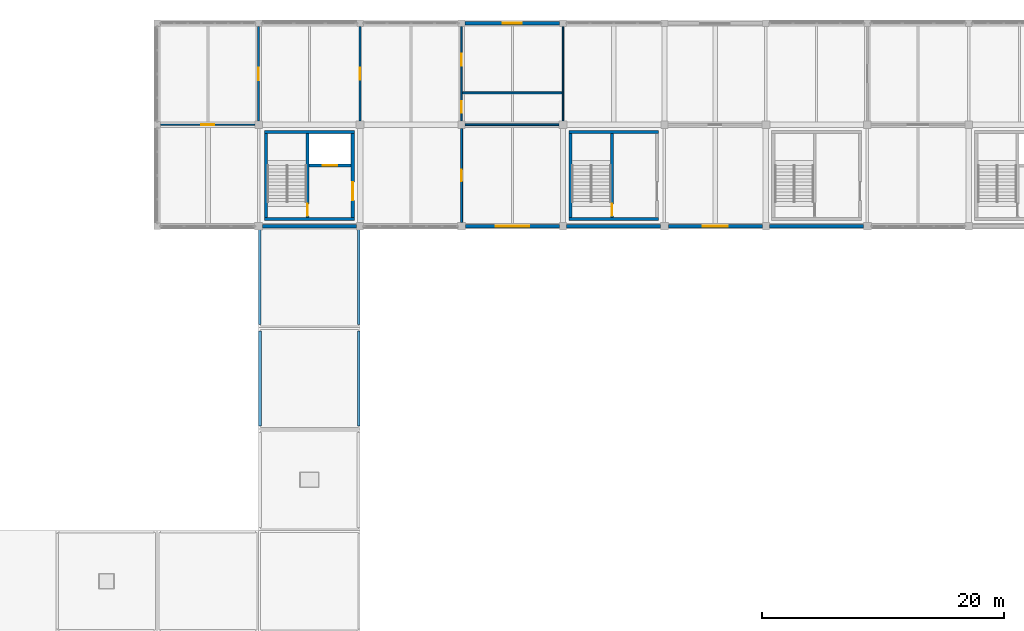
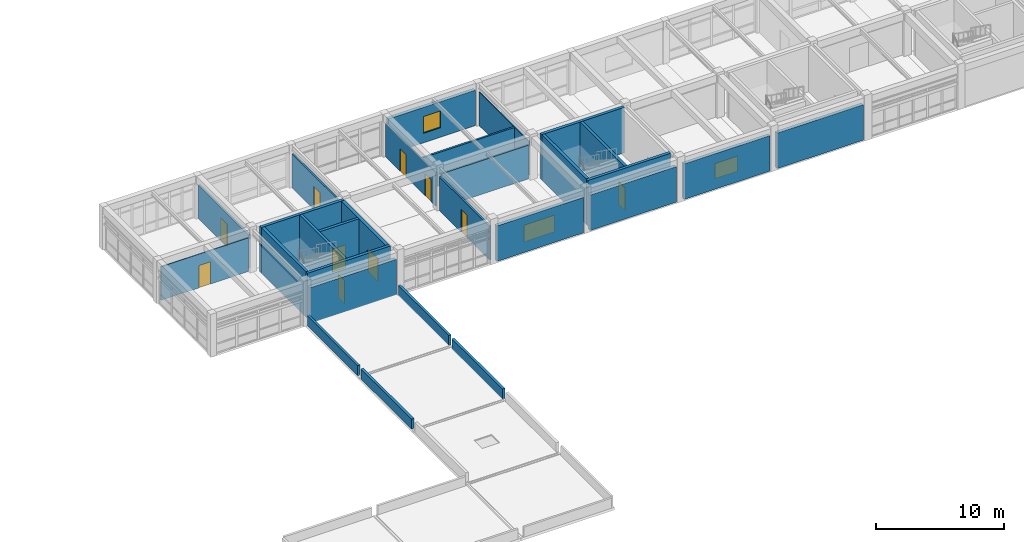
# One storey, part 15 of 18: 28 walls, 10 doors, 3 windows, 13 openings.
"""IFC4 building model written with IfcOpenShell, lengths in metres."""

import ifcopenshell
import ifcopenshell.guid

model = None  # the IFC model being written
_history = None  # IfcOwnerHistory: only IFC2X3 demands one
_inside = {}  # id of a spatial element -> (the spatial element, [elements in it])
_under = {}  # id of a project, library or spatial element -> (it, [spatial elements below it])
_declared = {}  # id of a project -> (the project, [libraries it declares])
_typed = {}  # id of a type object -> (the type object, [elements of that type])
_made_of = {}  # id of a material, layer set ... -> (it, [elements and type objects made of it])


def new_model(schema):
    """Start an empty IFC model of exactly this schema.

    Asked for "IFC4X3", IfcOpenShell would pick the latest addendum, in which some entities
    have other attributes; the version numbers below select the first issue.
    IFC2X3 requires an IfcOwnerHistory on every rooted entity: one is made here for all.
    """
    global model, _history
    if schema == "IFC4X3":
        model = ifcopenshell.file(schema_version=(4, 3, 0, 0))
    else:
        model = ifcopenshell.file(schema=schema)
    _inside.clear()
    _under.clear()
    _declared.clear()
    _typed.clear()
    _made_of.clear()
    _history = None
    if model.schema == "IFC2X3":
        org = make("IfcOrganization", Name="unknown")
        user = make(
            "IfcPersonAndOrganization",
            ThePerson=make("IfcPerson", FamilyName="unknown"),
            TheOrganization=org,
        )
        app = make(
            "IfcApplication",
            ApplicationDeveloper=org,
            Version="unknown",
            ApplicationFullName="unknown",
            ApplicationIdentifier="unknown",
        )
        _history = make(
            "IfcOwnerHistory",
            OwningUser=user,
            OwningApplication=app,
            ChangeAction="ADDED",
            CreationDate=0,
        )
    return model


def make(cls, **values):
    """One entity of the class cls with the attributes given. An attribute that is None is left unset."""
    return model.create_entity(
        cls, **{name: value for name, value in values.items() if value is not None}
    )


def rooted(cls, **values):
    """An entity with a GlobalId (a new one), such as an element, a storey or a relation."""
    return make(cls, GlobalId=ifcopenshell.guid.new(), OwnerHistory=_history, **values)


def si_unit(unit_type, name, prefix=None):
    """IfcSIUnit, for example si_unit("LENGTHUNIT", "METRE", prefix="MILLI")."""
    return make("IfcSIUnit", UnitType=unit_type, Prefix=prefix, Name=name)


def assignment(units):
    """IfcUnitAssignment: the units of a project."""
    return None if units is None else make("IfcUnitAssignment", Units=units)


def point(xyz):
    """IfcCartesianPoint."""
    return None if xyz is None else make("IfcCartesianPoint", Coordinates=xyz)


def direction(xyz):
    """IfcDirection."""
    return None if xyz is None else make("IfcDirection", DirectionRatios=xyz)


def frame(location, z_axis=None, x_axis=None):
    """IfcAxis2Placement3D, a coordinate frame: its origin and axes. An axis left out is left unset."""
    return make(
        "IfcAxis2Placement3D",
        Location=point(location),
        Axis=direction(z_axis),
        RefDirection=direction(x_axis),
    )


def frame_2d(location, x_axis=None):
    """IfcAxis2Placement2D, a coordinate frame in the plane: its origin and x axis."""
    return make(
        "IfcAxis2Placement2D", Location=point(location), RefDirection=direction(x_axis)
    )


def origin():
    """The frame at (0, 0, 0) with its axes left unset."""
    return frame((0.0, 0.0, 0.0))


def place(relative_to, where):
    """IfcLocalPlacement: puts the frame where relative to a parent placement (None: the world)."""
    return make(
        "IfcLocalPlacement", PlacementRelTo=relative_to, RelativePlacement=where
    )


def context(
    kind, dimensions, precision=None, world=None, true_north=None, identifier=None
):
    """IfcGeometricRepresentationContext, for example the 3D "Model" context."""
    return make(
        "IfcGeometricRepresentationContext",
        ContextIdentifier=identifier,
        ContextType=kind,
        CoordinateSpaceDimension=dimensions,
        Precision=precision,
        WorldCoordinateSystem=world,
        TrueNorth=true_north,
    )


def subcontext(parent, identifier, kind, view, scale=None):
    """IfcGeometricRepresentationSubContext, for example "Body" below "Model"."""
    return make(
        "IfcGeometricRepresentationSubContext",
        ContextIdentifier=identifier,
        ContextType=kind,
        ParentContext=parent,
        TargetScale=scale,
        TargetView=view,
    )


def project(units=None, contexts=None):
    """IfcProject with its units and contexts."""
    return rooted(
        "IfcProject",
        Name="project",
        RepresentationContexts=contexts,
        UnitsInContext=assignment(units),
    )


def spatial(cls, under=None, at=None, **own):
    """A site, building, storey or space (cls), placed at a placement, below another one or the project."""
    s = rooted(cls, ObjectPlacement=at, **own)
    if under is not None:
        _under.setdefault(under.id(), (under, []))[1].append(s)
    return s


def profile(cls, at=None, kind="AREA", **sizes):
    """A parametric profile (cls). Its sizes go by their IFC names, for example OverallWidth=200.0."""
    return make(cls, ProfileType=kind, Position=at, **sizes)


def rectangle(**sizes):
    """IfcRectangleProfileDef."""
    return profile("IfcRectangleProfileDef", **sizes)


def extrude(swept, where, along, depth):
    """IfcExtrudedAreaSolid: the profile swept, set in the frame where, extruded along a direction by depth."""
    return make(
        "IfcExtrudedAreaSolid",
        SweptArea=swept,
        Position=where,
        ExtrudedDirection=direction(along),
        Depth=depth,
    )


def shape(context_of_items, identifier, shape_type, items):
    """IfcShapeRepresentation: the items that make up one representation, for example the "Body"."""
    return make(
        "IfcShapeRepresentation",
        ContextOfItems=context_of_items,
        RepresentationIdentifier=identifier,
        RepresentationType=shape_type,
        Items=items,
    )


def material(Name=None, Category=None):
    """IfcMaterial."""
    return make("IfcMaterial", Name=Name, Category=Category)


def layer(
    of_material, thickness, ventilated=None, Name=None, Category=None, Priority=None
):
    """IfcMaterialLayer: one layer of a wall or slab, of a material (None: an air gap)."""
    return make(
        "IfcMaterialLayer",
        Material=of_material,
        LayerThickness=thickness,
        IsVentilated=ventilated,
        Name=Name,
        Category=Category,
        Priority=Priority,
    )


def layer_set(layers, Name=None):
    """IfcMaterialLayerSet."""
    return make("IfcMaterialLayerSet", MaterialLayers=layers, LayerSetName=Name)


def made_of(thing, what):
    """Note that an element or type object is made of a material, layer set ...; save() writes the relation."""
    if what is not None:
        _made_of.setdefault(what.id(), (what, []))[1].append(thing)
    return thing


def type_object(cls, material=None, **own):
    """A type object (cls), such as IfcWallType, which elements share."""
    return made_of(rooted(cls, **own), material)


def element(
    cls,
    number,
    at=None,
    inside=None,
    cuts=None,
    type_object=None,
    material=None,
    context=None,
    identifier="Body",
    shape_type=None,
    held_by="IfcProductDefinitionShape",
    body=None,
    shapes=None,
    **own,
):
    """One element of the class cls, such as IfcWall. Its Tag is "e" and its number.

    at: its placement. inside: the storey or other place that contains it. cuts: it is an
    opening in that element (IfcRelVoidsElement). A single representation is given by context,
    identifier, shape_type and body (its items); several are given by shapes. held_by: the class
    of the entity that holds the representations. save() writes the other relations.
    """
    e = rooted(cls, Tag="e%d" % number, ObjectPlacement=at, **own)
    if body is not None:
        shapes = [shape(context, identifier, shape_type, body)]
    if shapes is not None:
        e.Representation = make(held_by, Representations=shapes)
    if inside is not None:
        _inside.setdefault(inside.id(), (inside, []))[1].append(e)
    if cuts is not None:
        rooted(
            "IfcRelVoidsElement", RelatingBuildingElement=cuts, RelatedOpeningElement=e
        )
    if type_object is not None:
        _typed.setdefault(type_object.id(), (type_object, []))[1].append(e)
    return made_of(e, material)


def fill(opening, filler):
    """IfcRelFillsElement: the door or window that sits in an opening."""
    return rooted(
        "IfcRelFillsElement",
        RelatingOpeningElement=opening,
        RelatedBuildingElement=filler,
    )


def aggregate(whole, parts):
    """IfcRelAggregates: a whole, such as a stair, and the parts it consists of."""
    return rooted("IfcRelAggregates", RelatingObject=whole, RelatedObjects=parts)


def save(model, path):
    """Write the relations noted so far, then the file.

    IfcRelAggregates (storeys below a building ...), IfcRelContainedInSpatialStructure (elements
    in a storey), IfcRelDefinesByType, IfcRelAssociatesMaterial and IfcRelDeclares: one each for
    every whole, place, type object, material and project.
    """
    for whole, parts in _under.values():
        aggregate(whole, parts)
    for where, things in _inside.values():
        rooted(
            "IfcRelContainedInSpatialStructure",
            RelatedElements=things,
            RelatingStructure=where,
        )
    for kind, things in _typed.values():
        rooted("IfcRelDefinesByType", RelatedObjects=things, RelatingType=kind)
    for what, things in _made_of.values():
        rooted("IfcRelAssociatesMaterial", RelatedObjects=things, RelatingMaterial=what)
    for by, libraries in _declared.values():
        rooted("IfcRelDeclares", RelatingContext=by, RelatedDefinitions=libraries)
    model.write(path)


model = new_model("IFC4")

# Units and contexts
model_context = context("Model", 3, precision=1e-05, world=origin(), true_north=direction((0.0, 1.0)))
body_context = subcontext(model_context, "Body", "Model", "MODEL_VIEW")
ifc_project = project(units=[si_unit("LENGTHUNIT", "METRE"), si_unit("AREAUNIT", "SQUARE_METRE"), si_unit("VOLUMEUNIT", "CUBIC_METRE"), si_unit("PLANEANGLEUNIT", "RADIAN"), si_unit("MASSUNIT", "GRAM", prefix="KILO")], contexts=[model_context])

# Site, building, storey
site_placement = place(None, origin())
site = spatial("IfcSite", under=ifc_project, at=site_placement, CompositionType="ELEMENT")
building_placement = place(site_placement, origin())
building = spatial("IfcBuilding", under=site, at=building_placement, Name="Porcellanite Civic Hall", CompositionType="ELEMENT")
storey_placement = place(building_placement, frame((0.0, 0.0, 23.39990234375)))
storey = spatial("IfcBuildingStorey", under=building, at=storey_placement, Name="L05", CompositionType="ELEMENT", Elevation=23.39990234375)

# Wall, opening, door
ifc_material_1 = material(Name="Concrete N40 (40 MPa)", Category="concrete")
ifc_layer_1 = layer(ifc_material_1, 0.239990234375)
ifc_layer_set_1 = layer_set([ifc_layer_1], Name="Concrete N40 (40 MPa)")
wall_type_1 = type_object("IfcWallType", Name="CW-SH240", PredefinedType="SHEAR", material=ifc_layer_set_1)
wall_1_placement = place(storey_placement, frame((54.43994140625, 101.5400390625, 0.0), z_axis=(0.0, 0.0, 1.0), x_axis=(0.0, 1.0, 0.0)))
wall_1 = element("IfcWall", 1, at=wall_1_placement, inside=storey, type_object=wall_type_1, Name="Core divider C3 L05", PredefinedType="SHEAR", context=body_context, shape_type="SweptSolid", body=[
    extrude(rectangle(XDim=6.919921875, YDim=0.239990234375, at=frame_2d((3.4599609375, 0.0))), origin(), (0.0, 0.0, 1.0), 4.320068359375),
])
opening_1_placement = place(wall_1_placement, frame((0.1201171875, 0.0, 0.0)))
opening_1 = element("IfcOpeningElement", 2, at=opening_1_placement, cuts=wall_1, Name="Opening FD-C3-L05-ST", PredefinedType="OPENING", context=body_context, shape_type="SweptSolid", body=[
    extrude(rectangle(XDim=1.0, YDim=2.14990234375, at=frame_2d((0.5, 1.074951171875))), frame((0.0, 0.1201171875, 0.0), z_axis=(0.0, -1.0, 0.0), x_axis=(1.0, 0.0, 0.0)), (0.0, 0.0, 1.0), 0.239990234375),
])
ifc_material_2 = material(Name="Fire-rated solid-core hardwood timber", Category="wood")
door_type_1 = type_object("IfcDoorType", Name="DR-FD100", OperationType="NOTDEFINED", PredefinedType="DOOR", material=ifc_material_2)
door_1_placement = place(opening_1_placement, origin())
door_1 = element("IfcDoor", 3, at=door_1_placement, inside=storey, type_object=door_type_1, Name="Fire stair door FD-C3-L05-ST", OperationType="SINGLE_SWING_RIGHT", OverallHeight=2.14990234375, OverallWidth=1.0, PredefinedType="DOOR", context=body_context, shape_type="SweptSolid", body=[
    extrude(rectangle(XDim=1.0, YDim=2.14990234375, at=frame_2d((0.5, 1.074951171875))), frame((0.0, 0.02490234375, 0.0), z_axis=(0.0, -1.0, 0.0), x_axis=(1.0, 0.0, 0.0)), (0.0, 0.0, 1.0), 0.050048828125),
])
fill(opening_1, door_1)

wall_2_placement = place(storey_placement, frame((54.56005859375, 105.820068359375, 0.0), z_axis=(0.0, 0.0, 1.0), x_axis=(1.0, 0.0, 0.0)))
wall_2 = element("IfcWall", 4, at=wall_2_placement, inside=storey, type_object=wall_type_1, Name="Lift shaft wall C3 L05", PredefinedType="SHEAR", context=body_context, shape_type="SweptSolid", body=[
    extrude(rectangle(XDim=3.5, YDim=0.239990234375, at=frame_2d((1.75, 0.0))), origin(), (0.0, 0.0, 1.0), 4.320068359375),
])
opening_2_placement = place(wall_2_placement, frame((1.14990234375, 0.0, 0.0)))
opening_2 = element("IfcOpeningElement", 5, at=opening_2_placement, cuts=wall_2, Name="Opening LD-01", PredefinedType="OPENING", context=body_context, shape_type="SweptSolid", body=[
    extrude(rectangle(XDim=1.199951171875, YDim=2.199951171875, at=frame_2d((0.60009765625, 1.10009765625))), frame((0.0, 0.1201171875, 0.0), z_axis=(0.0, -1.0, 0.0), x_axis=(1.0, 0.0, 0.0)), (0.0, 0.0, 1.0), 0.239990234375),
])
ifc_material_3 = material(Name="Brushed stainless steel 316", Category="steel")
door_type_2 = type_object("IfcDoorType", Name="DR-LD120", OperationType="DOUBLE_DOOR_SLIDING", PredefinedType="DOOR", material=ifc_material_3)
door_2_placement = place(opening_2_placement, origin())
door_2 = element("IfcDoor", 6, at=door_2_placement, inside=storey, type_object=door_type_2, Name="Lift landing sliding door LD-01 L05", OperationType="DOUBLE_DOOR_SLIDING", OverallHeight=2.199951171875, OverallWidth=1.199951171875, PredefinedType="DOOR", context=body_context, shape_type="SweptSolid", body=[
    extrude(rectangle(XDim=1.199951171875, YDim=2.199951171875, at=frame_2d((0.60009765625, 1.10009765625))), frame((0.0, 0.02490234375, 0.0), z_axis=(0.0, -1.0, 0.0), x_axis=(1.0, 0.0, 0.0)), (0.0, 0.0, 1.0), 0.050048828125),
])
fill(opening_2, door_2)

wall_3_placement = place(storey_placement, frame((79.639892578125, 101.5400390625, 0.0), z_axis=(0.0, 0.0, 1.0), x_axis=(0.0, 1.0, 0.0)))
wall_3 = element("IfcWall", 7, at=wall_3_placement, inside=storey, type_object=wall_type_1, Name="Core divider S9 L05", PredefinedType="SHEAR", context=body_context, shape_type="SweptSolid", body=[
    extrude(rectangle(XDim=6.919921875, YDim=0.239990234375, at=frame_2d((3.4599609375, 0.0))), origin(), (0.0, 0.0, 1.0), 4.320068359375),
])
opening_3_placement = place(wall_3_placement, frame((0.1201171875, 0.0, 0.0)))
opening_3 = element("IfcOpeningElement", 8, at=opening_3_placement, cuts=wall_3, Name="Opening FD-S9-L05-ST", PredefinedType="OPENING", context=body_context, shape_type="SweptSolid", body=[
    extrude(rectangle(XDim=1.0, YDim=2.14990234375, at=frame_2d((0.5, 1.074951171875))), frame((0.0, 0.1201171875, 0.0), z_axis=(0.0, -1.0, 0.0), x_axis=(1.0, 0.0, 0.0)), (0.0, 0.0, 1.0), 0.239990234375),
])
door_3_placement = place(opening_3_placement, origin())
door_3 = element("IfcDoor", 9, at=door_3_placement, inside=storey, type_object=door_type_1, Name="Fire stair door FD-S9-L05-ST", OperationType="SINGLE_SWING_RIGHT", OverallHeight=2.14990234375, OverallWidth=1.0, PredefinedType="DOOR", context=body_context, shape_type="SweptSolid", body=[
    extrude(rectangle(XDim=1.0, YDim=2.14990234375, at=frame_2d((0.5, 1.074951171875))), frame((0.0, 0.02490234375, 0.0), z_axis=(0.0, -1.0, 0.0), x_axis=(1.0, 0.0, 0.0)), (0.0, 0.0, 1.0), 0.050048828125),
])
fill(opening_3, door_3)

# Walls
ifc_material_4 = material(Name="Concrete N40 (40 MPa)", Category="concrete")
ifc_layer_2 = layer(ifc_material_4, 0.260009765625)
ifc_layer_set_2 = layer_set([ifc_layer_2], Name="Concrete N40 (40 MPa)")
wall_type_2 = type_object("IfcWallType", Name="CW-SH260", PredefinedType="SHEAR", material=ifc_layer_set_2)
wall_4_placement = place(storey_placement, frame((58.320068359375, 101.409912109375, 0.0), z_axis=(0.0, 0.0, 1.0), x_axis=(-1.0, 0.0, 0.0)))
element("IfcWall", 10, at=wall_4_placement, inside=storey, type_object=wall_type_2, Name="Core wall C3 L05 S", PredefinedType="SHEAR", context=body_context, shape_type="SweptSolid", body=[
    extrude(rectangle(XDim=7.440185546875, YDim=0.260009765625, at=frame_2d((3.72021484375, 0.0))), origin(), (0.0, 0.0, 1.0), 4.320068359375),
])
wall_5_placement = place(storey_placement, frame((51.010009765625, 101.5400390625, 0.0), z_axis=(0.0, 0.0, 1.0), x_axis=(0.0, 1.0, 0.0)))
element("IfcWall", 11, at=wall_5_placement, inside=storey, type_object=wall_type_2, Name="Core wall C3 L05 W", PredefinedType="SHEAR", context=body_context, shape_type="SweptSolid", body=[
    extrude(rectangle(XDim=6.919921875, YDim=0.260009765625, at=frame_2d((3.4599609375, 0.0))), origin(), (0.0, 0.0, 1.0), 4.320068359375),
])
wall_6_placement = place(storey_placement, frame((50.8798828125, 108.590087890625, 0.0), z_axis=(0.0, 0.0, 1.0), x_axis=(1.0, 0.0, 0.0)))
element("IfcWall", 12, at=wall_6_placement, inside=storey, type_object=wall_type_2, Name="Core wall C3 L05 N", PredefinedType="SHEAR", context=body_context, shape_type="SweptSolid", body=[
    extrude(rectangle(XDim=7.440185546875, YDim=0.260009765625, at=frame_2d((3.72021484375, 0.0))), origin(), (0.0, 0.0, 1.0), 4.320068359375),
])

# Wall, opening, door
wall_7_placement = place(storey_placement, frame((58.18994140625, 108.4599609375, 0.0), z_axis=(0.0, 0.0, 1.0), x_axis=(0.0, -1.0, 0.0)))
wall_7 = element("IfcWall", 13, at=wall_7_placement, inside=storey, type_object=wall_type_2, Name="Core wall C3 L05 E", PredefinedType="SHEAR", context=body_context, shape_type="SweptSolid", body=[
    extrude(rectangle(XDim=6.919921875, YDim=0.260009765625, at=frame_2d((3.4599609375, 0.0))), origin(), (0.0, 0.0, 1.0), 4.320068359375),
])
opening_4_placement = place(wall_7_placement, frame((4.010009765625, 0.0, 0.0)))
opening_4 = element("IfcOpeningElement", 14, at=opening_4_placement, cuts=wall_7, Name="Opening FD-C3-L05-LB", PredefinedType="OPENING", context=body_context, shape_type="SweptSolid", body=[
    extrude(rectangle(XDim=1.5, YDim=2.14990234375, at=frame_2d((0.75, 1.074951171875))), frame((0.0, 0.1298828125, 0.0), z_axis=(0.0, -1.0, 0.0), x_axis=(1.0, 0.0, 0.0)), (0.0, 0.0, 1.0), 0.260009765625),
])
ifc_material_5 = material(Name="Fire-rated steel and Georgian wired glass", Category="steel")
door_type_3 = type_object("IfcDoorType", Name="DR-FD150", OperationType="DOUBLE_DOOR_SINGLE_SWING", PredefinedType="DOOR", material=ifc_material_5)
door_4_placement = place(opening_4_placement, origin())
door_4 = element("IfcDoor", 15, at=door_4_placement, inside=storey, type_object=door_type_3, Name="Fire lobby double door FD-C3-L05-LB", OperationType="DOUBLE_DOOR_SINGLE_SWING", OverallHeight=2.14990234375, OverallWidth=1.5, PredefinedType="DOOR", context=body_context, shape_type="SweptSolid", body=[
    extrude(rectangle(XDim=1.5, YDim=2.14990234375, at=frame_2d((0.75, 1.074951171875))), frame((0.0, 0.02490234375, 0.0), z_axis=(0.0, -1.0, 0.0), x_axis=(1.0, 0.0, 0.0)), (0.0, 0.0, 1.0), 0.050048828125),
])
fill(opening_4, door_4)

# Walls
wall_8_placement = place(storey_placement, frame((83.52001953125, 101.409912109375, 0.0), z_axis=(0.0, 0.0, 1.0), x_axis=(-1.0, 0.0, 0.0)))
element("IfcWall", 16, at=wall_8_placement, inside=storey, type_object=wall_type_2, Name="Core wall S9 L05 S", PredefinedType="SHEAR", context=body_context, shape_type="SweptSolid", body=[
    extrude(rectangle(XDim=7.43994140625, YDim=0.260009765625, at=frame_2d((3.719970703125, 0.0))), origin(), (0.0, 0.0, 1.0), 4.320068359375),
])
wall_9_placement = place(storey_placement, frame((76.2099609375, 101.5400390625, 0.0), z_axis=(0.0, 0.0, 1.0), x_axis=(0.0, 1.0, 0.0)))
element("IfcWall", 17, at=wall_9_placement, inside=storey, type_object=wall_type_2, Name="Core wall S9 L05 W", PredefinedType="SHEAR", context=body_context, shape_type="SweptSolid", body=[
    extrude(rectangle(XDim=6.919921875, YDim=0.260009765625, at=frame_2d((3.4599609375, 0.0))), origin(), (0.0, 0.0, 1.0), 4.320068359375),
])
wall_10_placement = place(storey_placement, frame((76.080078125, 108.590087890625, 0.0), z_axis=(0.0, 0.0, 1.0), x_axis=(1.0, 0.0, 0.0)))
element("IfcWall", 18, at=wall_10_placement, inside=storey, type_object=wall_type_2, Name="Core wall S9 L05 N", PredefinedType="SHEAR", context=body_context, shape_type="SweptSolid", body=[
    extrude(rectangle(XDim=7.43994140625, YDim=0.260009765625, at=frame_2d((3.719970703125, 0.0))), origin(), (0.0, 0.0, 1.0), 4.320068359375),
])
ifc_material_6 = material(Name="Precast concrete N40 (40 MPa)", Category="concrete")
ifc_layer_3 = layer(ifc_material_6, 0.300048828125)
ifc_layer_set_3 = layer_set([ifc_layer_3], Name="Precast concrete N40 (40 MPa)")
wall_type_3 = type_object("IfcWallType", Name="EW-ADM300", PredefinedType="SOLIDWALL", material=ifc_layer_set_3)
wall_11_placement = place(storey_placement, frame((58.4990234375, 100.800048828125, 0.0), z_axis=(0.0, 0.0, 1.0), x_axis=(-1.0, 0.0, 0.0)))
element("IfcWall", 19, at=wall_11_placement, inside=storey, type_object=wall_type_3, Name="Exterior wall L05 S 7-13", PredefinedType="SOLIDWALL", context=body_context, shape_type="SweptSolid", body=[
    extrude(rectangle(XDim=7.77294921875, YDim=0.300048828125, at=frame_2d((3.886474609375, 0.0))), origin(), (0.0, 0.0, 1.0), 3.3701171875),
])

# Wall, opening, window
wall_12_placement = place(storey_placement, frame((75.299072265625, 100.800048828125, 0.0), z_axis=(0.0, 0.0, 1.0), x_axis=(-1.0, 0.0, 0.0)))
wall_12 = element("IfcWall", 20, at=wall_12_placement, inside=storey, type_object=wall_type_3, Name="Exterior wall L05 S 9-13", PredefinedType="SOLIDWALL", context=body_context, shape_type="SweptSolid", body=[
    extrude(rectangle(XDim=7.773193359375, YDim=0.300048828125, at=frame_2d((3.88671875, 0.0))), origin(), (0.0, 0.0, 1.0), 3.3701171875),
])
opening_5_placement = place(wall_12_placement, frame((2.510986328125, 0.0, 0.89990234375)))
opening_5 = element("IfcOpeningElement", 21, at=opening_5_placement, cuts=wall_12, Name="Opening W37", PredefinedType="OPENING", context=body_context, shape_type="SweptSolid", body=[
    extrude(rectangle(XDim=2.75, YDim=1.60009765625, at=frame_2d((1.375, 0.800048828125))), frame((0.0, 0.14990234375, 0.0), z_axis=(0.0, -1.0, 0.0), x_axis=(1.0, 0.0, 0.0)), (0.0, 0.0, 1.0), 0.300048828125),
])
ifc_material_7 = material(Name="Cyclone laminated low-E glazing in anodised aluminium frame", Category="aluminium")
window_type_1 = type_object("IfcWindowType", Name="WN-37", PartitioningType="TRIPLE_PANEL_VERTICAL", PredefinedType="WINDOW", material=ifc_material_7)
window_1_placement = place(opening_5_placement, origin())
window_1 = element("IfcWindow", 22, at=window_1_placement, inside=storey, type_object=window_type_1, Name="Window W37 L05 S 9-13", OverallHeight=1.60009765625, OverallWidth=2.75, PartitioningType="SINGLE_PANEL", PredefinedType="WINDOW", context=body_context, shape_type="SweptSolid", body=[
    extrude(rectangle(XDim=2.75, YDim=1.60009765625, at=frame_2d((1.375, 0.800048828125))), frame((0.0, 0.030029296875, 0.0), z_axis=(0.0, -1.0, 0.0), x_axis=(1.0, 0.0, 0.0)), (0.0, 0.0, 1.0), 0.06005859375),
])
fill(opening_5, window_1)

wall_13_placement = place(storey_placement, frame((67.47607421875, 117.60009765625, 0.0), z_axis=(0.0, 0.0, 1.0), x_axis=(1.0, 0.0, 0.0)))
wall_13 = element("IfcWall", 23, at=wall_13_placement, inside=storey, type_object=wall_type_3, Name="Exterior wall L05 N 9-14", PredefinedType="SOLIDWALL", context=body_context, shape_type="SweptSolid", body=[
    extrude(rectangle(XDim=7.847900390625, YDim=0.300048828125, at=frame_2d((3.923828125, 0.0))), origin(), (0.0, 0.0, 1.0), 3.3701171875),
])
opening_6_placement = place(wall_13_placement, frame((3.14892578125, 0.0, 0.89990234375)))
opening_6 = element("IfcOpeningElement", 24, at=opening_6_placement, cuts=wall_13, Name="Opening W38", PredefinedType="OPENING", context=body_context, shape_type="SweptSolid", body=[
    extrude(rectangle(XDim=1.550048828125, YDim=1.60009765625, at=frame_2d((0.77490234375, 0.800048828125))), frame((0.0, 0.14990234375, 0.0), z_axis=(0.0, -1.0, 0.0), x_axis=(1.0, 0.0, 0.0)), (0.0, 0.0, 1.0), 0.300048828125),
])
ifc_material_8 = material(Name="Cyclone laminated low-E glazing in anodised aluminium frame", Category="aluminium")
window_type_2 = type_object("IfcWindowType", Name="WN-38", PartitioningType="SINGLE_PANEL", PredefinedType="WINDOW", material=ifc_material_8)
window_2_placement = place(opening_6_placement, origin())
window_2 = element("IfcWindow", 25, at=window_2_placement, inside=storey, type_object=window_type_2, Name="Window W38 L05 N 9-14", OverallHeight=1.60009765625, OverallWidth=1.550048828125, PartitioningType="SINGLE_PANEL", PredefinedType="WINDOW", context=body_context, shape_type="SweptSolid", body=[
    extrude(rectangle(XDim=1.550048828125, YDim=1.60009765625, at=frame_2d((0.77490234375, 0.800048828125))), frame((0.0, 0.030029296875, 0.0), z_axis=(0.0, -1.0, 0.0), x_axis=(1.0, 0.0, 0.0)), (0.0, 0.0, 1.0), 0.06005859375),
])
fill(opening_6, window_2)

# Wall
wall_14_placement = place(storey_placement, frame((83.674072265625, 100.800048828125, 0.0), z_axis=(0.0, 0.0, 1.0), x_axis=(-1.0, 0.0, 0.0)))
element("IfcWall", 26, at=wall_14_placement, inside=storey, type_object=wall_type_3, Name="Exterior wall L05 S 10-13", PredefinedType="SOLIDWALL", context=body_context, shape_type="SweptSolid", body=[
    extrude(rectangle(XDim=7.773193359375, YDim=0.300048828125, at=frame_2d((3.88671875, 0.0))), origin(), (0.0, 0.0, 1.0), 3.3701171875),
])

# Wall, opening, window
wall_15_placement = place(storey_placement, frame((92.09912109375, 100.800048828125, 0.0), z_axis=(0.0, 0.0, 1.0), x_axis=(-1.0, 0.0, 0.0)))
wall_15 = element("IfcWall", 27, at=wall_15_placement, inside=storey, type_object=wall_type_3, Name="Exterior wall L05 S 11-13", PredefinedType="SOLIDWALL", context=body_context, shape_type="SweptSolid", body=[
    extrude(rectangle(XDim=7.773193359375, YDim=0.300048828125, at=frame_2d((3.88671875, 0.0))), origin(), (0.0, 0.0, 1.0), 3.3701171875),
])
opening_7_placement = place(wall_15_placement, frame((2.861083984375, 0.0, 0.89990234375)))
opening_7 = element("IfcOpeningElement", 28, at=opening_7_placement, cuts=wall_15, Name="Opening W39", PredefinedType="OPENING", context=body_context, shape_type="SweptSolid", body=[
    extrude(rectangle(XDim=2.050048828125, YDim=1.449951171875, at=frame_2d((1.02490234375, 0.72509765625))), frame((0.0, 0.14990234375, 0.0), z_axis=(0.0, -1.0, 0.0), x_axis=(1.0, 0.0, 0.0)), (0.0, 0.0, 1.0), 0.300048828125),
])
ifc_material_9 = material(Name="Cyclone laminated low-E glazing in anodised aluminium frame", Category="aluminium")
window_type_3 = type_object("IfcWindowType", Name="WN-39", PartitioningType="DOUBLE_PANEL_VERTICAL", PredefinedType="WINDOW", material=ifc_material_9)
window_3_placement = place(opening_7_placement, origin())
window_3 = element("IfcWindow", 29, at=window_3_placement, inside=storey, type_object=window_type_3, Name="Window W39 L05 S 11-13", OverallHeight=1.449951171875, OverallWidth=2.050048828125, PartitioningType="SINGLE_PANEL", PredefinedType="WINDOW", context=body_context, shape_type="SweptSolid", body=[
    extrude(rectangle(XDim=2.050048828125, YDim=1.449951171875, at=frame_2d((1.02490234375, 0.72509765625))), frame((0.0, 0.030029296875, 0.0), z_axis=(0.0, -1.0, 0.0), x_axis=(1.0, 0.0, 0.0)), (0.0, 0.0, 1.0), 0.06005859375),
])
fill(opening_7, window_3)

# Walls
wall_16_placement = place(storey_placement, frame((100.47412109375, 100.800048828125, 0.0), z_axis=(0.0, 0.0, 1.0), x_axis=(-1.0, 0.0, 0.0)))
element("IfcWall", 30, at=wall_16_placement, inside=storey, type_object=wall_type_3, Name="Exterior wall L05 S 12-13", PredefinedType="SOLIDWALL", context=body_context, shape_type="SweptSolid", body=[
    extrude(rectangle(XDim=7.773193359375, YDim=0.300048828125, at=frame_2d((3.88671875, 0.0))), origin(), (0.0, 0.0, 1.0), 3.3701171875),
])
ifc_material_10 = material(Name="Insulated acoustic plasterboard on light-gauge steel studs", Category="steel")
ifc_layer_4 = layer(ifc_material_10, 0.087890625)
ifc_layer_set_4 = layer_set([ifc_layer_4], Name="Insulated acoustic plasterboard on light-gauge steel studs")
wall_type_4 = type_object("IfcWallType", Name="IW-PT088", PredefinedType="PARTITIONING", material=ifc_layer_set_4)
wall_17_placement = place(storey_placement, frame((75.60009765625, 109.527099609375, 0.0), z_axis=(0.0, 0.0, 1.0), x_axis=(0.0, 1.0, 0.0)))
element("IfcWall", 31, at=wall_17_placement, inside=storey, type_object=wall_type_4, Name="Partition L05 V 9-14", PredefinedType="PARTITIONING", context=body_context, shape_type="SweptSolid", body=[
    extrude(rectangle(XDim=7.7958984375, YDim=0.087890625, at=frame_2d((3.89794921875, 0.0))), origin(), (0.0, 0.0, 1.0), 3.190185546875),
])

# Wall, opening, door
ifc_material_11 = material(Name="Insulated acoustic plasterboard on light-gauge steel studs", Category="steel")
ifc_layer_5 = layer(ifc_material_11, 0.10498046875)
ifc_layer_set_5 = layer_set([ifc_layer_5], Name="Insulated acoustic plasterboard on light-gauge steel studs")
wall_type_5 = type_object("IfcWallType", Name="IW-PT105", PredefinedType="PARTITIONING", material=ifc_layer_set_5)
wall_18_placement = place(storey_placement, frame((42.277099609375, 109.199951171875, 0.0), z_axis=(0.0, 0.0, 1.0), x_axis=(1.0, 0.0, 0.0)))
wall_18 = element("IfcWall", 32, at=wall_18_placement, inside=storey, type_object=wall_type_5, Name="Partition L05 H 6-13", PredefinedType="PARTITIONING", context=body_context, shape_type="SweptSolid", body=[
    extrude(rectangle(XDim=7.82080078125, YDim=0.10498046875, at=frame_2d((3.910400390625, 0.0))), origin(), (0.0, 0.0, 1.0), 3.190185546875),
])
opening_8_placement = place(wall_18_placement, frame((3.385009765625, 0.0, 0.0)))
opening_8 = element("IfcOpeningElement", 33, at=opening_8_placement, cuts=wall_18, Name="Opening D-L05-503", PredefinedType="OPENING", context=body_context, shape_type="SweptSolid", body=[
    extrude(rectangle(XDim=1.050048828125, YDim=2.1201171875, at=frame_2d((0.52490234375, 1.06005859375))), frame((0.0, 0.052490234375, 0.0), z_axis=(0.0, -1.0, 0.0), x_axis=(1.0, 0.0, 0.0)), (0.0, 0.0, 1.0), 0.10498046875),
])
ifc_material_12 = material(Name="Solid-core spotted-gum timber", Category="wood")
door_type_4 = type_object("IfcDoorType", Name="DR-RM105", OperationType="NOTDEFINED", PredefinedType="DOOR", material=ifc_material_12)
door_5_placement = place(opening_8_placement, origin())
door_5 = element("IfcDoor", 34, at=door_5_placement, inside=storey, type_object=door_type_4, Name="Interior door D-L05-503", OperationType="SINGLE_SWING_RIGHT", OverallHeight=2.1201171875, OverallWidth=1.050048828125, PredefinedType="DOOR", context=body_context, shape_type="SweptSolid", body=[
    extrude(rectangle(XDim=1.050048828125, YDim=2.1201171875, at=frame_2d((0.52490234375, 1.06005859375))), frame((0.0, 0.02490234375, 0.0), z_axis=(0.0, -1.0, 0.0), x_axis=(1.0, 0.0, 0.0)), (0.0, 0.0, 1.0), 0.050048828125),
])
fill(opening_8, door_5)

# Wall, openings, doors
ifc_material_13 = material(Name="Insulated acoustic plasterboard on light-gauge steel studs", Category="steel")
ifc_layer_6 = layer(ifc_material_13, 0.114990234375)
ifc_layer_set_6 = layer_set([ifc_layer_6], Name="Insulated acoustic plasterboard on light-gauge steel studs")
wall_type_6 = type_object("IfcWallType", Name="IW-PT115", PredefinedType="PARTITIONING", material=ifc_layer_set_6)
wall_19_placement = place(storey_placement, frame((67.199951171875, 109.501953125, 0.0), z_axis=(0.0, 0.0, 1.0), x_axis=(0.0, 1.0, 0.0)))
wall_19 = element("IfcWall", 35, at=wall_19_placement, inside=storey, type_object=wall_type_6, Name="Partition L05 V 8-14", PredefinedType="PARTITIONING", context=body_context, shape_type="SweptSolid", body=[
    extrude(rectangle(XDim=7.821044921875, YDim=0.114990234375, at=frame_2d((3.91064453125, 0.0))), origin(), (0.0, 0.0, 1.0), 3.190185546875),
])
opening_9_placement = place(wall_19_placement, frame((0.693115234375, 0.0, 0.0)))
opening_9 = element("IfcOpeningElement", 36, at=opening_9_placement, cuts=wall_19, Name="Opening D-L05-495", PredefinedType="OPENING", context=body_context, shape_type="SweptSolid", body=[
    extrude(rectangle(XDim=0.93994140625, YDim=2.080078125, at=frame_2d((0.469970703125, 1.0400390625))), frame((0.0, 0.0576171875, 0.0), z_axis=(0.0, -1.0, 0.0), x_axis=(1.0, 0.0, 0.0)), (0.0, 0.0, 1.0), 0.114990234375),
])
opening_10_placement = place(wall_19_placement, frame((4.60302734375, 0.0, 0.0)))
opening_10 = element("IfcOpeningElement", 37, at=opening_10_placement, cuts=wall_19, Name="Opening D-L05-496", PredefinedType="OPENING", context=body_context, shape_type="SweptSolid", body=[
    extrude(rectangle(XDim=0.9599609375, YDim=2.10009765625, at=frame_2d((0.47998046875, 1.050048828125))), frame((0.0, 0.0576171875, 0.0), z_axis=(0.0, -1.0, 0.0), x_axis=(1.0, 0.0, 0.0)), (0.0, 0.0, 1.0), 0.114990234375),
])
ifc_material_14 = material(Name="Moisture-resistant laminate solid-core timber", Category="wood")
door_type_5 = type_object("IfcDoorType", Name="DR-WC094", OperationType="NOTDEFINED", PredefinedType="DOOR", material=ifc_material_14)
door_6_placement = place(opening_9_placement, origin())
door_6 = element("IfcDoor", 38, at=door_6_placement, inside=storey, type_object=door_type_5, Name="Interior door D-L05-495", OperationType="SINGLE_SWING_LEFT", OverallHeight=2.080078125, OverallWidth=0.93994140625, PredefinedType="DOOR", context=body_context, shape_type="SweptSolid", body=[
    extrude(rectangle(XDim=0.93994140625, YDim=2.080078125, at=frame_2d((0.469970703125, 1.0400390625))), frame((0.0, 0.02490234375, 0.0), z_axis=(0.0, -1.0, 0.0), x_axis=(1.0, 0.0, 0.0)), (0.0, 0.0, 1.0), 0.050048828125),
])
fill(opening_9, door_6)
ifc_material_15 = material(Name="Moisture-resistant laminate solid-core timber", Category="wood")
door_type_6 = type_object("IfcDoorType", Name="DR-WC096", OperationType="NOTDEFINED", PredefinedType="DOOR", material=ifc_material_15)
door_7_placement = place(opening_10_placement, origin())
door_7 = element("IfcDoor", 39, at=door_7_placement, inside=storey, type_object=door_type_6, Name="Interior door D-L05-496", OperationType="SINGLE_SWING_RIGHT", OverallHeight=2.10009765625, OverallWidth=0.9599609375, PredefinedType="DOOR", context=body_context, shape_type="SweptSolid", body=[
    extrude(rectangle(XDim=0.9599609375, YDim=2.10009765625, at=frame_2d((0.47998046875, 1.050048828125))), frame((0.0, 0.02490234375, 0.0), z_axis=(0.0, -1.0, 0.0), x_axis=(1.0, 0.0, 0.0)), (0.0, 0.0, 1.0), 0.050048828125),
])
fill(opening_10, door_7)

# Wall
ifc_material_16 = material(Name="Insulated acoustic plasterboard on light-gauge steel studs", Category="steel")
ifc_layer_7 = layer(ifc_material_16, 0.135009765625)
ifc_layer_set_7 = layer_set([ifc_layer_7], Name="Insulated acoustic plasterboard on light-gauge steel studs")
wall_type_7 = type_object("IfcWallType", Name="IW-PT135", PredefinedType="PARTITIONING", material=ifc_layer_set_7)
wall_20_placement = place(storey_placement, frame((67.501953125, 109.199951171875, 0.0), z_axis=(0.0, 0.0, 1.0), x_axis=(1.0, 0.0, 0.0)))
element("IfcWall", 40, at=wall_20_placement, inside=storey, type_object=wall_type_7, Name="Partition L05 H 9-13", PredefinedType="PARTITIONING", context=body_context, shape_type="SweptSolid", body=[
    extrude(rectangle(XDim=7.77099609375, YDim=0.135009765625, at=frame_2d((3.885498046875, 0.0))), origin(), (0.0, 0.0, 1.0), 3.190185546875),
])

# Wall, opening, door
ifc_material_17 = material(Name="Insulated acoustic plasterboard on light-gauge steel studs", Category="steel")
ifc_layer_8 = layer(ifc_material_17, 0.14501953125)
ifc_layer_set_8 = layer_set([ifc_layer_8], Name="Insulated acoustic plasterboard on light-gauge steel studs")
wall_type_8 = type_object("IfcWallType", Name="IW-PT145", PredefinedType="PARTITIONING", material=ifc_layer_set_8)
wall_21_placement = place(storey_placement, frame((58.800048828125, 109.527099609375, 0.0), z_axis=(0.0, 0.0, 1.0), x_axis=(0.0, 1.0, 0.0)))
wall_21 = element("IfcWall", 41, at=wall_21_placement, inside=storey, type_object=wall_type_8, Name="Partition L05 V 7-14", PredefinedType="PARTITIONING", context=body_context, shape_type="SweptSolid", body=[
    extrude(rectangle(XDim=7.7958984375, YDim=0.14501953125, at=frame_2d((3.89794921875, 0.0))), origin(), (0.0, 0.0, 1.0), 3.190185546875),
])
opening_11_placement = place(wall_21_placement, frame((3.41796875, 0.0, 0.0)))
opening_11 = element("IfcOpeningElement", 42, at=opening_11_placement, cuts=wall_21, Name="Opening D-L05-500", PredefinedType="OPENING", context=body_context, shape_type="SweptSolid", body=[
    extrude(rectangle(XDim=0.9599609375, YDim=2.179931640625, at=frame_2d((0.47998046875, 1.08984375))), frame((0.0, 0.072509765625, 0.0), z_axis=(0.0, -1.0, 0.0), x_axis=(1.0, 0.0, 0.0)), (0.0, 0.0, 1.0), 0.14501953125),
])
ifc_material_18 = material(Name="Solid-core spotted-gum timber", Category="wood")
door_type_7 = type_object("IfcDoorType", Name="DR-RM096", OperationType="NOTDEFINED", PredefinedType="DOOR", material=ifc_material_18)
door_8_placement = place(opening_11_placement, origin())
door_8 = element("IfcDoor", 43, at=door_8_placement, inside=storey, type_object=door_type_7, Name="Interior door D-L05-500", OperationType="SINGLE_SWING_RIGHT", OverallHeight=2.179931640625, OverallWidth=0.9599609375, PredefinedType="DOOR", context=body_context, shape_type="SweptSolid", body=[
    extrude(rectangle(XDim=0.9599609375, YDim=2.179931640625, at=frame_2d((0.47998046875, 1.08984375))), frame((0.0, 0.02490234375, 0.0), z_axis=(0.0, -1.0, 0.0), x_axis=(1.0, 0.0, 0.0)), (0.0, 0.0, 1.0), 0.050048828125),
])
fill(opening_11, door_8)

ifc_material_19 = material(Name="Insulated acoustic plasterboard on light-gauge steel studs", Category="steel")
ifc_layer_9 = layer(ifc_material_19, 0.1650390625)
ifc_layer_set_9 = layer_set([ifc_layer_9], Name="Insulated acoustic plasterboard on light-gauge steel studs")
wall_type_9 = type_object("IfcWallType", Name="IW-PT165", PredefinedType="PARTITIONING", material=ifc_layer_set_9)
wall_22_placement = place(storey_placement, frame((67.199951171875, 101.126953125, 0.0), z_axis=(0.0, 0.0, 1.0), x_axis=(0.0, 1.0, 0.0)))
wall_22 = element("IfcWall", 44, at=wall_22_placement, inside=storey, type_object=wall_type_9, Name="Partition L05 V 8-13", PredefinedType="PARTITIONING", context=body_context, shape_type="SweptSolid", body=[
    extrude(rectangle(XDim=7.77099609375, YDim=0.1650390625, at=frame_2d((3.885498046875, 0.0))), origin(), (0.0, 0.0, 1.0), 3.190185546875),
])
opening_12_placement = place(wall_22_placement, frame((3.4150390625, 0.0, 0.0)))
opening_12 = element("IfcOpeningElement", 45, at=opening_12_placement, cuts=wall_22, Name="Opening D-L05-501", PredefinedType="OPENING", context=body_context, shape_type="SweptSolid", body=[
    extrude(rectangle(XDim=0.93994140625, YDim=2.14990234375, at=frame_2d((0.469970703125, 1.074951171875))), frame((0.0, 0.08251953125, 0.0), z_axis=(0.0, -1.0, 0.0), x_axis=(1.0, 0.0, 0.0)), (0.0, 0.0, 1.0), 0.1650390625),
])
ifc_material_20 = material(Name="Solid-core spotted-gum timber", Category="wood")
door_type_8 = type_object("IfcDoorType", Name="DR-RM094", OperationType="NOTDEFINED", PredefinedType="DOOR", material=ifc_material_20)
door_9_placement = place(opening_12_placement, origin())
door_9 = element("IfcDoor", 46, at=door_9_placement, inside=storey, type_object=door_type_8, Name="Interior door D-L05-501", OperationType="SINGLE_SWING_LEFT", OverallHeight=2.14990234375, OverallWidth=0.93994140625, PredefinedType="DOOR", context=body_context, shape_type="SweptSolid", body=[
    extrude(rectangle(XDim=0.93994140625, YDim=2.14990234375, at=frame_2d((0.469970703125, 1.074951171875))), frame((0.0, 0.02490234375, 0.0), z_axis=(0.0, -1.0, 0.0), x_axis=(1.0, 0.0, 0.0)), (0.0, 0.0, 1.0), 0.050048828125),
])
fill(opening_12, door_9)

# Wall
wall_23_placement = place(storey_placement, frame((67.259521484375, 111.85009765625, 0.0), z_axis=(0.0, 0.0, 1.0), x_axis=(1.0, 0.0, 0.0)))
element("IfcWall", 47, at=wall_23_placement, inside=storey, type_object=wall_type_9, Name="Partition L05 sub 9-14", PredefinedType="PARTITIONING", context=body_context, shape_type="SweptSolid", body=[
    extrude(rectangle(XDim=8.29443359375, YDim=0.1650390625, at=frame_2d((4.147216796875, 0.0))), origin(), (0.0, 0.0, 1.0), 3.190185546875),
])

# Wall, opening, door
ifc_material_21 = material(Name="Insulated acoustic plasterboard on light-gauge steel studs", Category="steel")
ifc_layer_10 = layer(ifc_material_21, 0.175048828125)
ifc_layer_set_10 = layer_set([ifc_layer_10], Name="Insulated acoustic plasterboard on light-gauge steel studs")
wall_type_10 = type_object("IfcWallType", Name="IW-PT175", PredefinedType="PARTITIONING", material=ifc_layer_set_10)
wall_24_placement = place(storey_placement, frame((50.39990234375, 109.501953125, 0.0), z_axis=(0.0, 0.0, 1.0), x_axis=(0.0, 1.0, 0.0)))
wall_24 = element("IfcWall", 48, at=wall_24_placement, inside=storey, type_object=wall_type_10, Name="Partition L05 V 6-14", PredefinedType="PARTITIONING", context=body_context, shape_type="SweptSolid", body=[
    extrude(rectangle(XDim=7.821044921875, YDim=0.175048828125, at=frame_2d((3.91064453125, 0.0))), origin(), (0.0, 0.0, 1.0), 3.190185546875),
])
opening_13_placement = place(wall_24_placement, frame((3.405029296875, 0.0, 0.0)))
opening_13 = element("IfcOpeningElement", 49, at=opening_13_placement, cuts=wall_24, Name="Opening D-L05-504", PredefinedType="OPENING", context=body_context, shape_type="SweptSolid", body=[
    extrude(rectangle(XDim=1.010009765625, YDim=2.1201171875, at=frame_2d((0.5048828125, 1.06005859375))), frame((0.0, 0.08740234375, 0.0), z_axis=(0.0, -1.0, 0.0), x_axis=(1.0, 0.0, 0.0)), (0.0, 0.0, 1.0), 0.175048828125),
])
ifc_material_22 = material(Name="Solid-core spotted-gum timber", Category="wood")
door_type_9 = type_object("IfcDoorType", Name="DR-RM101", OperationType="NOTDEFINED", PredefinedType="DOOR", material=ifc_material_22)
door_10_placement = place(opening_13_placement, origin())
door_10 = element("IfcDoor", 50, at=door_10_placement, inside=storey, type_object=door_type_9, Name="Interior door D-L05-504", OperationType="SINGLE_SWING_LEFT", OverallHeight=2.1201171875, OverallWidth=1.010009765625, PredefinedType="DOOR", context=body_context, shape_type="SweptSolid", body=[
    extrude(rectangle(XDim=1.010009765625, YDim=2.1201171875, at=frame_2d((0.5048828125, 1.06005859375))), frame((0.0, 0.02490234375, 0.0), z_axis=(0.0, -1.0, 0.0), x_axis=(1.0, 0.0, 0.0)), (0.0, 0.0, 1.0), 0.050048828125),
])
fill(opening_13, door_10)

# Walls
ifc_material_23 = material(Name="Precast concrete N40 (40 MPa)", Category="concrete")
ifc_layer_11 = layer(ifc_material_23, 0.22998046875)
ifc_layer_set_11 = layer_set([ifc_layer_11], Name="Precast concrete N40 (40 MPa)")
wall_type_11 = type_object("IfcWallType", Name="WP-PAR2", PredefinedType="PARAPET", material=ifc_layer_set_11)
for number, where, z_axis, x_axis, name in (
    (51, (50.514892578125, 84.260009765625, 0.0), (0.0, 0.0, 1.0), (0.0, 1.0, 0.0), "Roof parapet L05 W 7-11"),
    (52, (58.68505859375, 92.139892578125, 0.0), (0.0, 0.0, 1.0), (0.0, -1.0, 0.0), "Roof parapet L05 E 7-11"),
):
    element("IfcWall", number, at=place(storey_placement, frame(where, z_axis=z_axis, x_axis=x_axis)), inside=storey, type_object=wall_type_11, Name=name, PredefinedType="PARAPET", context=body_context, shape_type="SweptSolid", body=[
        extrude(rectangle(XDim=7.8798828125, YDim=0.22998046875, at=frame_2d((3.93994140625, 0.0))), origin(), (0.0, 0.0, 1.0), 0.9501953125),
    ])
ifc_material_24 = material(Name="Precast concrete N40 (40 MPa)", Category="concrete")
ifc_layer_12 = layer(ifc_material_24, 0.2099609375)
ifc_layer_set_12 = layer_set([ifc_layer_12], Name="Precast concrete N40 (40 MPa)")
wall_type_12 = type_object("IfcWallType", Name="WP-PAR3", PredefinedType="PARAPET", material=ifc_layer_set_12)
for number, where, z_axis, x_axis, name in (
    (53, (50.5048828125, 92.659912109375, 0.0), (0.0, 0.0, 1.0), (0.0, 1.0, 0.0), "Roof parapet L05 W 7-12"),
    (54, (58.695068359375, 100.5400390625, 0.0), (0.0, 0.0, 1.0), (0.0, -1.0, 0.0), "Roof parapet L05 E 7-12"),
):
    element("IfcWall", number, at=place(storey_placement, frame(where, z_axis=z_axis, x_axis=x_axis)), inside=storey, type_object=wall_type_12, Name=name, PredefinedType="PARAPET", context=body_context, shape_type="SweptSolid", body=[
        extrude(rectangle(XDim=7.880126953125, YDim=0.2099609375, at=frame_2d((3.93994140625, 0.0))), origin(), (0.0, 0.0, 1.0), 0.9501953125),
    ])

save(model, "model.ifc")
